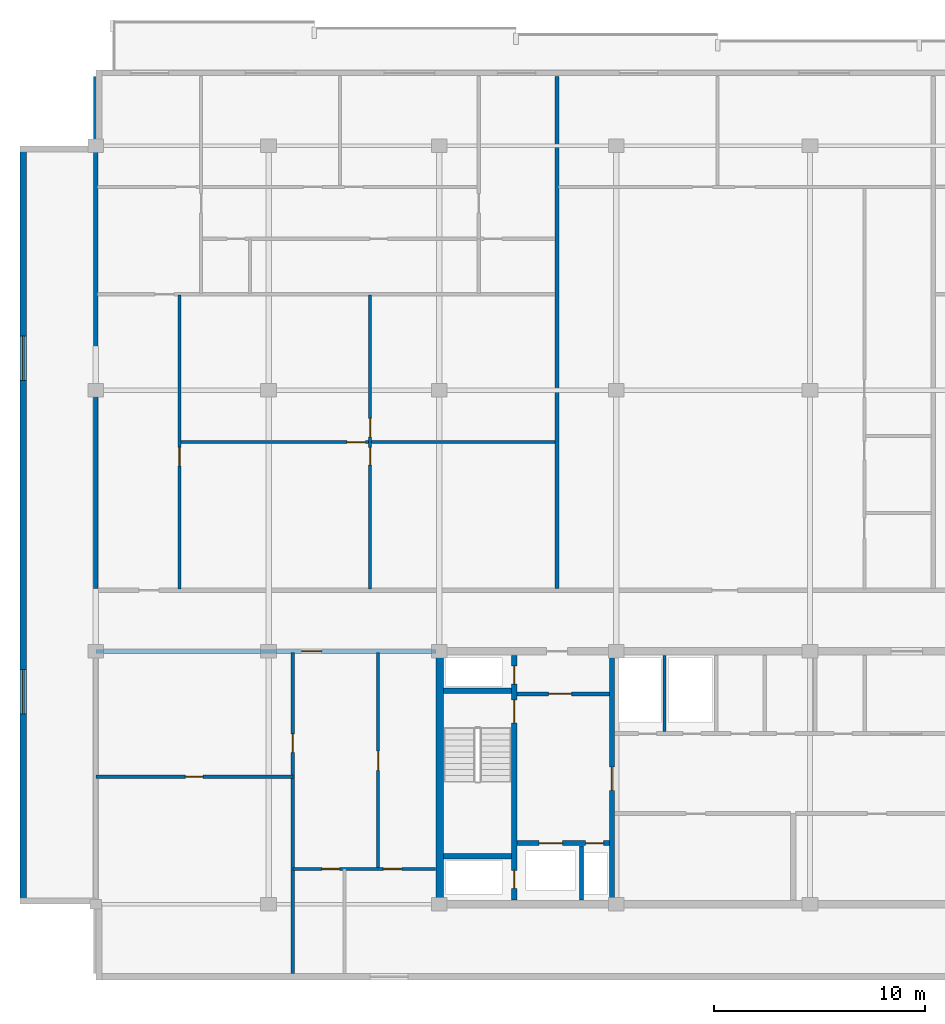
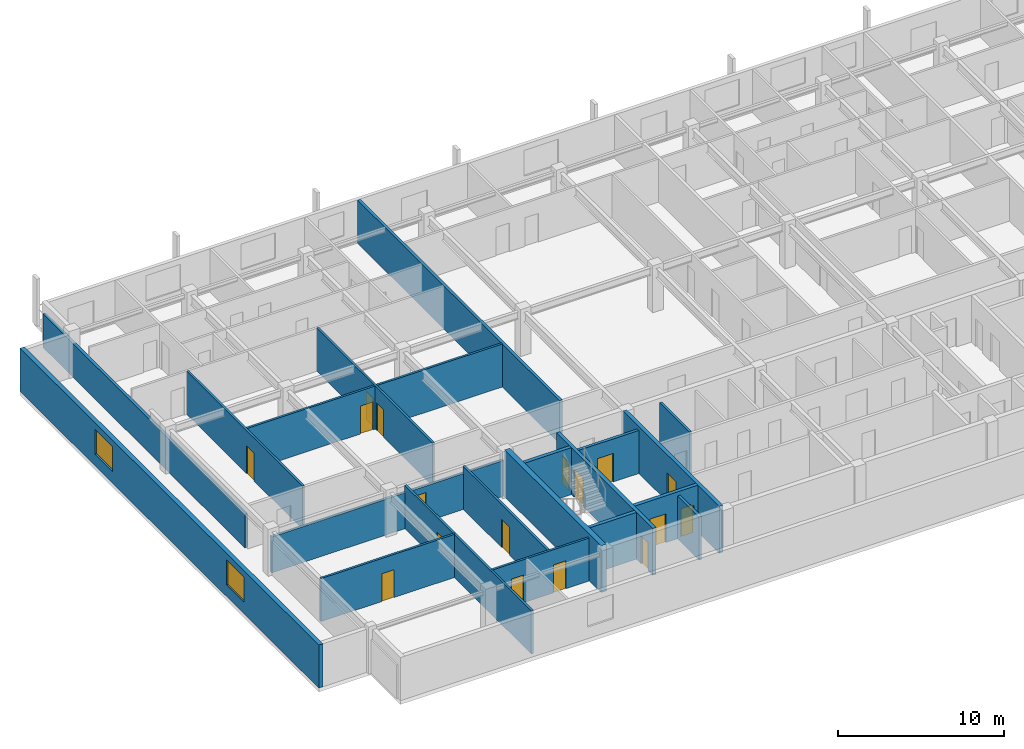
# One storey, part 3 of 10: 20 walls, 17 doors, 2 windows, 19 openings.
"""IFC4 building model written with IfcOpenShell, lengths in metres."""

import ifcopenshell
import ifcopenshell.guid

model = None  # the IFC model being written
_history = None  # IfcOwnerHistory: only IFC2X3 demands one
_inside = {}  # id of a spatial element -> (the spatial element, [elements in it])
_under = {}  # id of a project, library or spatial element -> (it, [spatial elements below it])
_declared = {}  # id of a project -> (the project, [libraries it declares])
_typed = {}  # id of a type object -> (the type object, [elements of that type])
_made_of = {}  # id of a material, layer set ... -> (it, [elements and type objects made of it])


def new_model(schema):
    """Start an empty IFC model of exactly this schema.

    Asked for "IFC4X3", IfcOpenShell would pick the latest addendum, in which some entities
    have other attributes; the version numbers below select the first issue.
    IFC2X3 requires an IfcOwnerHistory on every rooted entity: one is made here for all.
    """
    global model, _history
    if schema == "IFC4X3":
        model = ifcopenshell.file(schema_version=(4, 3, 0, 0))
    else:
        model = ifcopenshell.file(schema=schema)
    _inside.clear()
    _under.clear()
    _declared.clear()
    _typed.clear()
    _made_of.clear()
    _history = None
    if model.schema == "IFC2X3":
        org = make("IfcOrganization", Name="unknown")
        user = make(
            "IfcPersonAndOrganization",
            ThePerson=make("IfcPerson", FamilyName="unknown"),
            TheOrganization=org,
        )
        app = make(
            "IfcApplication",
            ApplicationDeveloper=org,
            Version="unknown",
            ApplicationFullName="unknown",
            ApplicationIdentifier="unknown",
        )
        _history = make(
            "IfcOwnerHistory",
            OwningUser=user,
            OwningApplication=app,
            ChangeAction="ADDED",
            CreationDate=0,
        )
    return model


def make(cls, **values):
    """One entity of the class cls with the attributes given. An attribute that is None is left unset."""
    return model.create_entity(
        cls, **{name: value for name, value in values.items() if value is not None}
    )


def rooted(cls, **values):
    """An entity with a GlobalId (a new one), such as an element, a storey or a relation."""
    return make(cls, GlobalId=ifcopenshell.guid.new(), OwnerHistory=_history, **values)


def si_unit(unit_type, name, prefix=None):
    """IfcSIUnit, for example si_unit("LENGTHUNIT", "METRE", prefix="MILLI")."""
    return make("IfcSIUnit", UnitType=unit_type, Prefix=prefix, Name=name)


def assignment(units):
    """IfcUnitAssignment: the units of a project."""
    return None if units is None else make("IfcUnitAssignment", Units=units)


def point(xyz):
    """IfcCartesianPoint."""
    return None if xyz is None else make("IfcCartesianPoint", Coordinates=xyz)


def direction(xyz):
    """IfcDirection."""
    return None if xyz is None else make("IfcDirection", DirectionRatios=xyz)


def frame(location, z_axis=None, x_axis=None):
    """IfcAxis2Placement3D, a coordinate frame: its origin and axes. An axis left out is left unset."""
    return make(
        "IfcAxis2Placement3D",
        Location=point(location),
        Axis=direction(z_axis),
        RefDirection=direction(x_axis),
    )


def frame_2d(location, x_axis=None):
    """IfcAxis2Placement2D, a coordinate frame in the plane: its origin and x axis."""
    return make(
        "IfcAxis2Placement2D", Location=point(location), RefDirection=direction(x_axis)
    )


def origin():
    """The frame at (0, 0, 0) with its axes left unset."""
    return frame((0.0, 0.0, 0.0))


def place(relative_to, where):
    """IfcLocalPlacement: puts the frame where relative to a parent placement (None: the world)."""
    return make(
        "IfcLocalPlacement", PlacementRelTo=relative_to, RelativePlacement=where
    )


def context(
    kind, dimensions, precision=None, world=None, true_north=None, identifier=None
):
    """IfcGeometricRepresentationContext, for example the 3D "Model" context."""
    return make(
        "IfcGeometricRepresentationContext",
        ContextIdentifier=identifier,
        ContextType=kind,
        CoordinateSpaceDimension=dimensions,
        Precision=precision,
        WorldCoordinateSystem=world,
        TrueNorth=true_north,
    )


def subcontext(parent, identifier, kind, view, scale=None):
    """IfcGeometricRepresentationSubContext, for example "Body" below "Model"."""
    return make(
        "IfcGeometricRepresentationSubContext",
        ContextIdentifier=identifier,
        ContextType=kind,
        ParentContext=parent,
        TargetScale=scale,
        TargetView=view,
    )


def project(units=None, contexts=None):
    """IfcProject with its units and contexts."""
    return rooted(
        "IfcProject",
        Name="project",
        RepresentationContexts=contexts,
        UnitsInContext=assignment(units),
    )


def spatial(cls, under=None, at=None, **own):
    """A site, building, storey or space (cls), placed at a placement, below another one or the project."""
    s = rooted(cls, ObjectPlacement=at, **own)
    if under is not None:
        _under.setdefault(under.id(), (under, []))[1].append(s)
    return s


def profile(cls, at=None, kind="AREA", **sizes):
    """A parametric profile (cls). Its sizes go by their IFC names, for example OverallWidth=200.0."""
    return make(cls, ProfileType=kind, Position=at, **sizes)


def rectangle(**sizes):
    """IfcRectangleProfileDef."""
    return profile("IfcRectangleProfileDef", **sizes)


def extrude(swept, where, along, depth):
    """IfcExtrudedAreaSolid: the profile swept, set in the frame where, extruded along a direction by depth."""
    return make(
        "IfcExtrudedAreaSolid",
        SweptArea=swept,
        Position=where,
        ExtrudedDirection=direction(along),
        Depth=depth,
    )


def shape(context_of_items, identifier, shape_type, items):
    """IfcShapeRepresentation: the items that make up one representation, for example the "Body"."""
    return make(
        "IfcShapeRepresentation",
        ContextOfItems=context_of_items,
        RepresentationIdentifier=identifier,
        RepresentationType=shape_type,
        Items=items,
    )


def material(Name=None, Category=None):
    """IfcMaterial."""
    return make("IfcMaterial", Name=Name, Category=Category)


def layer(
    of_material, thickness, ventilated=None, Name=None, Category=None, Priority=None
):
    """IfcMaterialLayer: one layer of a wall or slab, of a material (None: an air gap)."""
    return make(
        "IfcMaterialLayer",
        Material=of_material,
        LayerThickness=thickness,
        IsVentilated=ventilated,
        Name=Name,
        Category=Category,
        Priority=Priority,
    )


def layer_set(layers, Name=None):
    """IfcMaterialLayerSet."""
    return make("IfcMaterialLayerSet", MaterialLayers=layers, LayerSetName=Name)


def made_of(thing, what):
    """Note that an element or type object is made of a material, layer set ...; save() writes the relation."""
    if what is not None:
        _made_of.setdefault(what.id(), (what, []))[1].append(thing)
    return thing


def type_object(cls, material=None, **own):
    """A type object (cls), such as IfcWallType, which elements share."""
    return made_of(rooted(cls, **own), material)


def element(
    cls,
    number,
    at=None,
    inside=None,
    cuts=None,
    type_object=None,
    material=None,
    context=None,
    identifier="Body",
    shape_type=None,
    held_by="IfcProductDefinitionShape",
    body=None,
    shapes=None,
    **own,
):
    """One element of the class cls, such as IfcWall. Its Tag is "e" and its number.

    at: its placement. inside: the storey or other place that contains it. cuts: it is an
    opening in that element (IfcRelVoidsElement). A single representation is given by context,
    identifier, shape_type and body (its items); several are given by shapes. held_by: the class
    of the entity that holds the representations. save() writes the other relations.
    """
    e = rooted(cls, Tag="e%d" % number, ObjectPlacement=at, **own)
    if body is not None:
        shapes = [shape(context, identifier, shape_type, body)]
    if shapes is not None:
        e.Representation = make(held_by, Representations=shapes)
    if inside is not None:
        _inside.setdefault(inside.id(), (inside, []))[1].append(e)
    if cuts is not None:
        rooted(
            "IfcRelVoidsElement", RelatingBuildingElement=cuts, RelatedOpeningElement=e
        )
    if type_object is not None:
        _typed.setdefault(type_object.id(), (type_object, []))[1].append(e)
    return made_of(e, material)


def fill(opening, filler):
    """IfcRelFillsElement: the door or window that sits in an opening."""
    return rooted(
        "IfcRelFillsElement",
        RelatingOpeningElement=opening,
        RelatedBuildingElement=filler,
    )


def aggregate(whole, parts):
    """IfcRelAggregates: a whole, such as a stair, and the parts it consists of."""
    return rooted("IfcRelAggregates", RelatingObject=whole, RelatedObjects=parts)


def save(model, path):
    """Write the relations noted so far, then the file.

    IfcRelAggregates (storeys below a building ...), IfcRelContainedInSpatialStructure (elements
    in a storey), IfcRelDefinesByType, IfcRelAssociatesMaterial and IfcRelDeclares: one each for
    every whole, place, type object, material and project.
    """
    for whole, parts in _under.values():
        aggregate(whole, parts)
    for where, things in _inside.values():
        rooted(
            "IfcRelContainedInSpatialStructure",
            RelatedElements=things,
            RelatingStructure=where,
        )
    for kind, things in _typed.values():
        rooted("IfcRelDefinesByType", RelatedObjects=things, RelatingType=kind)
    for what, things in _made_of.values():
        rooted("IfcRelAssociatesMaterial", RelatedObjects=things, RelatingMaterial=what)
    for by, libraries in _declared.values():
        rooted("IfcRelDeclares", RelatingContext=by, RelatedDefinitions=libraries)
    model.write(path)


model = new_model("IFC4")

# Units and contexts
model_context = context("Model", 3, precision=1e-05, world=origin(), true_north=direction((0.0, 1.0)))
body_context = subcontext(model_context, "Body", "Model", "MODEL_VIEW")
ifc_project = project(units=[si_unit("LENGTHUNIT", "METRE"), si_unit("AREAUNIT", "SQUARE_METRE"), si_unit("VOLUMEUNIT", "CUBIC_METRE"), si_unit("PLANEANGLEUNIT", "RADIAN"), si_unit("MASSUNIT", "GRAM", prefix="KILO")], contexts=[model_context])

# Site, building, storey
site_placement = place(None, origin())
site = spatial("IfcSite", under=ifc_project, at=site_placement, CompositionType="ELEMENT")
building_placement = place(site_placement, origin())
building = spatial("IfcBuilding", under=site, at=building_placement, Name="Korimba Cascade Residences", CompositionType="ELEMENT")
storey_placement = place(building_placement, frame((0.0, 0.0, 232.10009765625)))
storey = spatial("IfcBuildingStorey", under=building, at=storey_placement, Name="L67", CompositionType="ELEMENT", Elevation=232.10009765625)

# Wall, openings, windows
ifc_material_1 = material(Name="Precast concrete C40/50", Category="concrete")
ifc_layer_1 = layer(ifc_material_1, 0.300048828125)
ifc_layer_set_1 = layer_set([ifc_layer_1], Name="Precast concrete C40/50")
wall_type_1 = type_object("IfcWallType", Name="EW-STONE-300", PredefinedType="STANDARD", material=ifc_layer_set_1)
wall_1_placement = place(storey_placement, frame((56.35009765625, 91.199951171875, 0.0), z_axis=(0.0, 0.0, 1.0), x_axis=(0.0, -1.0, 0.0)))
wall_1 = element("IfcWall", 1, at=wall_1_placement, inside=storey, type_object=wall_type_1, Name="L67 T1 Perimeter Stone Wall E09", PredefinedType="STANDARD", context=body_context, shape_type="SweptSolid", body=[
    extrude(rectangle(XDim=36.0, YDim=0.300048828125, at=frame_2d((18.0, 0.0))), origin(), (0.0, 0.0, 1.0), 3.169921875),
])
opening_1_placement = place(wall_1_placement, frame((9.030029296875, 0.0, 0.85009765625)))
opening_1 = element("IfcOpeningElement", 2, at=opening_1_placement, cuts=wall_1, Name="Opening W-03", PredefinedType="OPENING", context=body_context, shape_type="SweptSolid", body=[
    extrude(rectangle(XDim=2.10009765625, YDim=1.85009765625, at=frame_2d((1.050048828125, 0.925048828125))), frame((0.0, 0.16015625, 0.0), z_axis=(0.0, -1.0, 0.0), x_axis=(1.0, 0.0, 0.0)), (0.0, 0.0, 1.0), 0.320068359375),
])
opening_2_placement = place(wall_1_placement, frame((24.8701171875, 0.0, 0.85009765625)))
opening_2 = element("IfcOpeningElement", 3, at=opening_2_placement, cuts=wall_1, Name="Opening W-03", PredefinedType="OPENING", context=body_context, shape_type="SweptSolid", body=[
    extrude(rectangle(XDim=2.10009765625, YDim=1.85009765625, at=frame_2d((1.050048828125, 0.925048828125))), frame((0.0, 0.16015625, 0.0), z_axis=(0.0, -1.0, 0.0), x_axis=(1.0, 0.0, 0.0)), (0.0, 0.0, 1.0), 0.320068359375),
])
ifc_material_2 = material(Name="Double-Glazed Aluminium Window", Category="aluminium")
window_type = type_object("IfcWindowType", Name="WIN-CRN-2100", PartitioningType="DOUBLE_PANEL_HORIZONTAL", PredefinedType="WINDOW", material=ifc_material_2)
window_1_placement = place(opening_1_placement, origin())
window_1 = element("IfcWindow", 4, at=window_1_placement, inside=storey, type_object=window_type, Name="L67 T1 End View Window 9.1", OverallHeight=1.85009765625, OverallWidth=2.10009765625, PartitioningType="DOUBLE_PANEL_HORIZONTAL", PredefinedType="WINDOW", context=body_context, shape_type="SweptSolid", body=[
    extrude(rectangle(XDim=2.10009765625, YDim=1.85009765625, at=frame_2d((1.050048828125, 0.925048828125))), frame((0.0, 0.030029296875, 0.0), z_axis=(0.0, -1.0, 0.0), x_axis=(1.0, 0.0, 0.0)), (0.0, 0.0, 1.0), 0.06005859375),
])
fill(opening_1, window_1)
window_2_placement = place(opening_2_placement, origin())
window_2 = element("IfcWindow", 5, at=window_2_placement, inside=storey, type_object=window_type, Name="L67 T1 End View Window 9.2", OverallHeight=1.85009765625, OverallWidth=2.10009765625, PartitioningType="DOUBLE_PANEL_HORIZONTAL", PredefinedType="WINDOW", context=body_context, shape_type="SweptSolid", body=[
    extrude(rectangle(XDim=2.10009765625, YDim=1.85009765625, at=frame_2d((1.050048828125, 0.925048828125))), frame((0.0, 0.030029296875, 0.0), z_axis=(0.0, -1.0, 0.0), x_axis=(1.0, 0.0, 0.0)), (0.0, 0.0, 1.0), 0.06005859375),
])
fill(opening_2, window_2)

# Wall
ifc_material_3 = material(Name="Concrete C65/80", Category="concrete")
ifc_layer_2 = layer(ifc_material_3, 0.35009765625)
ifc_layer_set_2 = layer_set([ifc_layer_2], Name="Concrete C65/80")
wall_type_2 = type_object("IfcWallType", Name="WAL-CORE-350", PredefinedType="SHEAR", material=ifc_layer_set_2)
wall_2_placement = place(storey_placement, frame((76.125, 55.375, 0.0), z_axis=(0.0, 0.0, 1.0), x_axis=(0.0, 1.0, 0.0)))
element("IfcWall", 6, at=wall_2_placement, inside=storey, type_object=wall_type_2, Name="L67 Core Shear Wall CW-L67-T1-W", PredefinedType="SHEAR", context=body_context, shape_type="SweptSolid", body=[
    extrude(rectangle(XDim=11.64990234375, YDim=0.35009765625, at=frame_2d((5.824951171875, 0.0))), origin(), (0.0, 0.0, 1.0), 3.449951171875),
])

# Wall, opening, door
ifc_layer_3 = layer(ifc_material_1, 0.199951171875)
ifc_layer_set_3 = layer_set([ifc_layer_3], Name="Precast concrete C40/50")
wall_type_3 = type_object("IfcWallType", Name="WAL-IT-200", PredefinedType="PARTITIONING", material=ifc_layer_set_3)
wall_3_placement = place(storey_placement, frame((59.800048828125, 67.199951171875, 0.0), z_axis=(0.0, 0.0, 1.0), x_axis=(1.0, 0.0, 0.0)))
wall_3 = element("IfcWall", 7, at=wall_3_placement, inside=storey, type_object=wall_type_3, Name="L67 Partition Wall WAL-L67-T1-FW-N", PredefinedType="PARTITIONING", context=body_context, shape_type="SweptSolid", body=[
    extrude(rectangle(XDim=16.14990234375, YDim=0.199951171875, at=frame_2d((8.074951171875, 0.0))), origin(), (0.0, 0.0, 1.0), 2.63330078125),
])
opening_3_placement = place(wall_3_placement, frame((9.7724609375, 0.0, 0.0)))
opening_3 = element("IfcOpeningElement", 8, at=opening_3_placement, cuts=wall_3, Name="Opening D-UN1", PredefinedType="OPENING", context=body_context, shape_type="SweptSolid", body=[
    extrude(rectangle(XDim=0.949951171875, YDim=2.14990234375, at=frame_2d((0.47509765625, 1.074951171875))), frame((0.0, 0.10986328125, 0.0), z_axis=(0.0, -1.0, 0.0), x_axis=(1.0, 0.0, 0.0)), (0.0, 0.0, 1.0), 0.219970703125),
])
ifc_material_4 = material(Name="Fire-Rated Hardwood Apartment Entrance Door", Category="wood")
door_type_1 = type_object("IfcDoorType", Name="DR-FD60-950", OperationType="NOTDEFINED", PredefinedType="DOOR", material=ifc_material_4)
door_1_placement = place(opening_3_placement, origin())
door_1 = element("IfcDoor", 9, at=door_1_placement, inside=storey, type_object=door_type_1, Name="L67-T1-FW Entrance Door", OperationType="SINGLE_SWING_LEFT", OverallHeight=2.14990234375, OverallWidth=0.949951171875, PredefinedType="DOOR", context=body_context, shape_type="SweptSolid", body=[
    extrude(rectangle(XDim=0.949951171875, YDim=2.14990234375, at=frame_2d((0.47509765625, 1.074951171875))), frame((0.0, 0.02490234375, 0.0), z_axis=(0.0, -1.0, 0.0), x_axis=(1.0, 0.0, 0.0)), (0.0, 0.0, 1.0), 0.050048828125),
])
fill(opening_3, door_1)

# Walls
wall_4_placement = place(storey_placement, frame((59.800048828125, 70.179931640625, 0.0), z_axis=(0.0, 0.0, 1.0), x_axis=(0.0, 1.0, 0.0)))
element("IfcWall", 10, at=wall_4_placement, inside=storey, type_object=wall_type_3, Name="L67 Partition Wall WAL-L67-T1-BNDWL", PredefinedType="PARTITIONING", context=body_context, shape_type="SweptSolid", body=[
    extrude(rectangle(XDim=24.320068359375, YDim=0.199951171875, at=frame_2d((12.16015625, 0.0))), origin(), (0.0, 0.0, 1.0), 2.47705078125),
])
wall_5_placement = place(storey_placement, frame((81.687255859375, 70.179931640625, 0.0), z_axis=(0.0, 0.0, 1.0), x_axis=(0.0, 1.0, 0.0)))
element("IfcWall", 11, at=wall_5_placement, inside=storey, type_object=wall_type_3, Name="L67 Partition Wall WAL-L67-T1-DEM-1", PredefinedType="PARTITIONING", context=body_context, shape_type="SweptSolid", body=[
    extrude(rectangle(XDim=24.320068359375, YDim=0.199951171875, at=frame_2d((12.16015625, 0.0))), origin(), (0.0, 0.0, 1.0), 3.169921875),
])
ifc_material_5 = material(Name="Insulated Acoustic Stud Partition", Category="gypsum")
ifc_layer_4 = layer(ifc_material_5, 0.14990234375)
ifc_layer_set_4 = layer_set([ifc_layer_4], Name="Insulated Acoustic Stud Partition")
wall_type_4 = type_object("IfcWallType", Name="WAL-PART-150", PredefinedType="PARTITIONING", material=ifc_layer_set_4)
wall_6_placement = place(storey_placement, frame((86.800048828125, 63.39990234375, 0.0), z_axis=(0.0, 0.0, 1.0), x_axis=(0.0, 1.0, 0.0)))
element("IfcWall", 12, at=wall_6_placement, inside=storey, type_object=wall_type_4, Name="L67 Partition Wall CW-L67-T1-ERDIV", PredefinedType="PARTITIONING", context=body_context, shape_type="SweptSolid", body=[
    extrude(rectangle(XDim=3.60009765625, YDim=0.14990234375, at=frame_2d((1.800048828125, 0.0))), origin(), (0.0, 0.0, 1.0), 3.169921875),
])

# Wall, opening, door
wall_7_placement = place(storey_placement, frame((59.800048828125, 61.25, 0.0), z_axis=(0.0, 0.0, 1.0), x_axis=(1.0, 0.0, 0.0)))
wall_7 = element("IfcWall", 13, at=wall_7_placement, inside=storey, type_object=wall_type_4, Name="L67 Partition Wall WAL-L67-T1-FW-STH", PredefinedType="PARTITIONING", context=body_context, shape_type="SweptSolid", body=[
    extrude(rectangle(XDim=9.349853515625, YDim=0.14990234375, at=frame_2d((4.6748046875, 0.0))), origin(), (0.0, 0.0, 1.0), 3.169921875),
])
opening_4_placement = place(wall_7_placement, frame((4.2548828125, 0.0, 0.0)))
opening_4 = element("IfcOpeningElement", 14, at=opening_4_placement, cuts=wall_7, Name="Opening D-BT1", PredefinedType="OPENING", context=body_context, shape_type="SweptSolid", body=[
    extrude(rectangle(XDim=0.840087890625, YDim=2.0400390625, at=frame_2d((0.419921875, 1.02001953125))), frame((0.0, 0.0849609375, 0.0), z_axis=(0.0, -1.0, 0.0), x_axis=(1.0, 0.0, 0.0)), (0.0, 0.0, 1.0), 0.169921875),
])
ifc_material_6 = material(Name="Moisture-Resistant Bathroom Timber Door", Category="wood")
door_type_2 = type_object("IfcDoorType", Name="DR-INT-850", OperationType="NOTDEFINED", PredefinedType="DOOR", material=ifc_material_6)
door_2_placement = place(opening_4_placement, origin())
door_2 = element("IfcDoor", 15, at=door_2_placement, inside=storey, type_object=door_type_2, Name="L67-T1-FW Dressing Store Door", OperationType="SINGLE_SWING_RIGHT", OverallHeight=2.0400390625, OverallWidth=0.840087890625, PredefinedType="DOOR", context=body_context, shape_type="SweptSolid", body=[
    extrude(rectangle(XDim=0.840087890625, YDim=2.0400390625, at=frame_2d((0.419921875, 1.02001953125))), frame((0.0, 0.02490234375, 0.0), z_axis=(0.0, -1.0, 0.0), x_axis=(1.0, 0.0, 0.0)), (0.0, 0.0, 1.0), 0.050048828125),
])
fill(opening_4, door_2)

wall_8_placement = place(storey_placement, frame((69.14990234375, 51.89990234375, 0.0), z_axis=(0.0, 0.0, 1.0), x_axis=(0.0, 1.0, 0.0)))
wall_8 = element("IfcWall", 16, at=wall_8_placement, inside=storey, type_object=wall_type_4, Name="L67 Partition Wall WAL-L67-T1-FW-STV", PredefinedType="PARTITIONING", context=body_context, shape_type="SweptSolid", body=[
    extrude(rectangle(XDim=15.25, YDim=0.14990234375, at=frame_2d((7.625, 0.0))), origin(), (0.0, 0.0, 1.0), 3.169921875),
])
opening_5_placement = place(wall_8_placement, frame((10.5, 0.0, 0.0)))
opening_5 = element("IfcOpeningElement", 17, at=opening_5_placement, cuts=wall_8, Name="Opening D-IN2", PredefinedType="OPENING", context=body_context, shape_type="SweptSolid", body=[
    extrude(rectangle(XDim=0.8798828125, YDim=2.06005859375, at=frame_2d((0.43994140625, 1.030029296875))), frame((0.0, 0.0849609375, 0.0), z_axis=(0.0, -1.0, 0.0), x_axis=(1.0, 0.0, 0.0)), (0.0, 0.0, 1.0), 0.169921875),
])
ifc_material_7 = material(Name="Acoustic Timber Bedroom Door", Category="wood")
door_type_3 = type_object("IfcDoorType", Name="DR-INT-880", OperationType="NOTDEFINED", PredefinedType="DOOR", material=ifc_material_7)
door_3_placement = place(opening_5_placement, origin())
door_3 = element("IfcDoor", 18, at=door_3_placement, inside=storey, type_object=door_type_3, Name="L67-T1-FW Study Door", OperationType="SINGLE_SWING_LEFT", OverallHeight=2.06005859375, OverallWidth=0.8798828125, PredefinedType="DOOR", context=body_context, shape_type="SweptSolid", body=[
    extrude(rectangle(XDim=0.8798828125, YDim=2.06005859375, at=frame_2d((0.43994140625, 1.030029296875))), frame((0.0, 0.02490234375, 0.0), z_axis=(0.0, -1.0, 0.0), x_axis=(1.0, 0.0, 0.0)), (0.0, 0.0, 1.0), 0.050048828125),
])
fill(opening_5, door_3)

wall_9_placement = place(storey_placement, frame((73.199951171875, 56.8701171875, 0.0), z_axis=(0.0, 0.0, 1.0), x_axis=(0.0, 1.0, 0.0)))
wall_9 = element("IfcWall", 19, at=wall_9_placement, inside=storey, type_object=wall_type_4, Name="L67 Partition Wall WAL-L67-T1-FW-VN", PredefinedType="PARTITIONING", context=body_context, shape_type="SweptSolid", body=[
    extrude(rectangle(XDim=10.27978515625, YDim=0.14990234375, at=frame_2d((5.139892578125, 0.0))), origin(), (0.0, 0.0, 1.0), 3.169921875),
])
opening_6_placement = place(wall_9_placement, frame((4.679931640625, 0.0, 0.0)))
opening_6 = element("IfcOpeningElement", 20, at=opening_6_placement, cuts=wall_9, Name="Opening D-IN1", PredefinedType="OPENING", context=body_context, shape_type="SweptSolid", body=[
    extrude(rectangle(XDim=0.919921875, YDim=2.080078125, at=frame_2d((0.4599609375, 1.0400390625))), frame((0.0, 0.0849609375, 0.0), z_axis=(0.0, -1.0, 0.0), x_axis=(1.0, 0.0, 0.0)), (0.0, 0.0, 1.0), 0.169921875),
])
ifc_material_8 = material(Name="Acoustic Timber Living Door", Category="wood")
door_type_4 = type_object("IfcDoorType", Name="DR-INT-920", OperationType="NOTDEFINED", PredefinedType="DOOR", material=ifc_material_8)
door_4_placement = place(opening_6_placement, origin())
door_4 = element("IfcDoor", 21, at=door_4_placement, inside=storey, type_object=door_type_4, Name="L67-T1-FW Living Door", OperationType="SINGLE_SWING_RIGHT", OverallHeight=2.080078125, OverallWidth=0.919921875, PredefinedType="DOOR", context=body_context, shape_type="SweptSolid", body=[
    extrude(rectangle(XDim=0.919921875, YDim=2.080078125, at=frame_2d((0.4599609375, 1.0400390625))), frame((0.0, 0.02490234375, 0.0), z_axis=(0.0, -1.0, 0.0), x_axis=(1.0, 0.0, 0.0)), (0.0, 0.0, 1.0), 0.050048828125),
])
fill(opening_6, door_4)

# Wall, openings, doors
wall_10_placement = place(storey_placement, frame((69.169921875, 56.8701171875, 0.0), z_axis=(0.0, 0.0, 1.0), x_axis=(1.0, 0.0, 0.0)))
wall_10 = element("IfcWall", 22, at=wall_10_placement, inside=storey, type_object=wall_type_4, Name="L67 Partition Wall WAL-L67-T1-FW-H", PredefinedType="PARTITIONING", context=body_context, shape_type="SweptSolid", body=[
    extrude(rectangle(XDim=6.760009765625, YDim=0.14990234375, at=frame_2d((3.3798828125, 0.0))), origin(), (0.0, 0.0, 1.0), 3.169921875),
])
opening_7_placement = place(wall_10_placement, frame((1.3623046875, 0.0, 0.0)))
opening_7 = element("IfcOpeningElement", 23, at=opening_7_placement, cuts=wall_10, Name="Opening D-BT1", PredefinedType="OPENING", context=body_context, shape_type="SweptSolid", body=[
    extrude(rectangle(XDim=0.840087890625, YDim=2.0400390625, at=frame_2d((0.419921875, 1.02001953125))), frame((0.0, 0.0849609375, 0.0), z_axis=(0.0, -1.0, 0.0), x_axis=(1.0, 0.0, 0.0)), (0.0, 0.0, 1.0), 0.169921875),
])
opening_8_placement = place(wall_10_placement, frame((4.276611328125, 0.0, 0.0)))
opening_8 = element("IfcOpeningElement", 24, at=opening_8_placement, cuts=wall_10, Name="Opening D-IN2", PredefinedType="OPENING", context=body_context, shape_type="SweptSolid", body=[
    extrude(rectangle(XDim=0.8798828125, YDim=2.06005859375, at=frame_2d((0.43994140625, 1.030029296875))), frame((0.0, 0.0849609375, 0.0), z_axis=(0.0, -1.0, 0.0), x_axis=(1.0, 0.0, 0.0)), (0.0, 0.0, 1.0), 0.169921875),
])
door_5_placement = place(opening_7_placement, origin())
door_5 = element("IfcDoor", 25, at=door_5_placement, inside=storey, type_object=door_type_2, Name="L67-T1-FW Bathroom Door", OperationType="SINGLE_SWING_LEFT", OverallHeight=2.0400390625, OverallWidth=0.840087890625, PredefinedType="DOOR", context=body_context, shape_type="SweptSolid", body=[
    extrude(rectangle(XDim=0.840087890625, YDim=2.0400390625, at=frame_2d((0.419921875, 1.02001953125))), frame((0.0, 0.02490234375, 0.0), z_axis=(0.0, -1.0, 0.0), x_axis=(1.0, 0.0, 0.0)), (0.0, 0.0, 1.0), 0.050048828125),
])
fill(opening_7, door_5)
door_6_placement = place(opening_8_placement, origin())
door_6 = element("IfcDoor", 26, at=door_6_placement, inside=storey, type_object=door_type_3, Name="L67-T1-FW Bedroom Door", OperationType="SINGLE_SWING_RIGHT", OverallHeight=2.06005859375, OverallWidth=0.8798828125, PredefinedType="DOOR", context=body_context, shape_type="SweptSolid", body=[
    extrude(rectangle(XDim=0.8798828125, YDim=2.06005859375, at=frame_2d((0.43994140625, 1.030029296875))), frame((0.0, 0.02490234375, 0.0), z_axis=(0.0, -1.0, 0.0), x_axis=(1.0, 0.0, 0.0)), (0.0, 0.0, 1.0), 0.050048828125),
])
fill(opening_8, door_6)

wall_11_placement = place(storey_placement, frame((72.818603515625, 70.159912109375, 0.0), z_axis=(0.0, 0.0, 1.0), x_axis=(0.0, 1.0, 0.0)))
wall_11 = element("IfcWall", 27, at=wall_11_placement, inside=storey, type_object=wall_type_4, Name="L67 Partition Wall WAL-L67-T1-U01-FMV", PredefinedType="PARTITIONING", context=body_context, shape_type="SweptSolid", body=[
    extrude(rectangle(XDim=13.9501953125, YDim=0.14990234375, at=frame_2d((6.97509765625, 0.0))), origin(), (0.0, 0.0, 1.0), 3.169921875),
])
opening_9_placement = place(wall_11_placement, frame((5.885009765625, 0.0, 0.0)))
opening_9 = element("IfcOpeningElement", 28, at=opening_9_placement, cuts=wall_11, Name="Opening D-BT1", PredefinedType="OPENING", context=body_context, shape_type="SweptSolid", body=[
    extrude(rectangle(XDim=0.840087890625, YDim=2.0400390625, at=frame_2d((0.419921875, 1.02001953125))), frame((0.0, 0.0849609375, 0.0), z_axis=(0.0, -1.0, 0.0), x_axis=(1.0, 0.0, 0.0)), (0.0, 0.0, 1.0), 0.169921875),
])
opening_10_placement = place(wall_11_placement, frame((7.22509765625, 0.0, 0.0)))
opening_10 = element("IfcOpeningElement", 29, at=opening_10_placement, cuts=wall_11, Name="Opening D-IN2", PredefinedType="OPENING", context=body_context, shape_type="SweptSolid", body=[
    extrude(rectangle(XDim=0.8798828125, YDim=2.06005859375, at=frame_2d((0.43994140625, 1.030029296875))), frame((0.0, 0.0849609375, 0.0), z_axis=(0.0, -1.0, 0.0), x_axis=(1.0, 0.0, 0.0)), (0.0, 0.0, 1.0), 0.169921875),
])
door_7_placement = place(opening_9_placement, origin())
door_7 = element("IfcDoor", 30, at=door_7_placement, inside=storey, type_object=door_type_2, Name="L67-T1-U01 Wardrobe Door", OperationType="SINGLE_SWING_RIGHT", OverallHeight=2.0400390625, OverallWidth=0.840087890625, PredefinedType="DOOR", context=body_context, shape_type="SweptSolid", body=[
    extrude(rectangle(XDim=0.840087890625, YDim=2.0400390625, at=frame_2d((0.419921875, 1.02001953125))), frame((0.0, 0.02490234375, 0.0), z_axis=(0.0, -1.0, 0.0), x_axis=(1.0, 0.0, 0.0)), (0.0, 0.0, 1.0), 0.050048828125),
])
fill(opening_9, door_7)
door_8_placement = place(opening_10_placement, origin())
door_8 = element("IfcDoor", 31, at=door_8_placement, inside=storey, type_object=door_type_3, Name="L67-T1-U01 Music Lounge Door", OperationType="SINGLE_SWING_LEFT", OverallHeight=2.06005859375, OverallWidth=0.8798828125, PredefinedType="DOOR", context=body_context, shape_type="SweptSolid", body=[
    extrude(rectangle(XDim=0.8798828125, YDim=2.06005859375, at=frame_2d((0.43994140625, 1.030029296875))), frame((0.0, 0.02490234375, 0.0), z_axis=(0.0, -1.0, 0.0), x_axis=(1.0, 0.0, 0.0)), (0.0, 0.0, 1.0), 0.050048828125),
])
fill(opening_10, door_8)

# Wall, opening, door
wall_12_placement = place(storey_placement, frame((63.830078125, 77.135009765625, 0.0), z_axis=(0.0, 0.0, 1.0), x_axis=(1.0, 0.0, 0.0)))
wall_12 = element("IfcWall", 32, at=wall_12_placement, inside=storey, type_object=wall_type_4, Name="L67 Partition Wall WAL-L67-T1-U01-FMH", PredefinedType="PARTITIONING", context=body_context, shape_type="SweptSolid", body=[
    extrude(rectangle(XDim=17.77734375, YDim=0.14990234375, at=frame_2d((8.888671875, 0.0))), origin(), (0.0, 0.0, 1.0), 3.169921875),
])
opening_11_placement = place(wall_12_placement, frame((7.888671875, 0.0, 0.0)))
opening_11 = element("IfcOpeningElement", 33, at=opening_11_placement, cuts=wall_12, Name="Opening D-IN2", PredefinedType="OPENING", context=body_context, shape_type="SweptSolid", body=[
    extrude(rectangle(XDim=0.8798828125, YDim=2.06005859375, at=frame_2d((0.43994140625, 1.030029296875))), frame((0.0, 0.0849609375, 0.0), z_axis=(0.0, -1.0, 0.0), x_axis=(1.0, 0.0, 0.0)), (0.0, 0.0, 1.0), 0.169921875),
])
door_9_placement = place(opening_11_placement, origin())
door_9 = element("IfcDoor", 34, at=door_9_placement, inside=storey, type_object=door_type_3, Name="L67-T1-U01 Library Salon Door", OperationType="SINGLE_SWING_RIGHT", OverallHeight=2.06005859375, OverallWidth=0.8798828125, PredefinedType="DOOR", context=body_context, shape_type="SweptSolid", body=[
    extrude(rectangle(XDim=0.8798828125, YDim=2.06005859375, at=frame_2d((0.43994140625, 1.030029296875))), frame((0.0, 0.02490234375, 0.0), z_axis=(0.0, -1.0, 0.0), x_axis=(1.0, 0.0, 0.0)), (0.0, 0.0, 1.0), 0.050048828125),
])
fill(opening_11, door_9)

wall_13_placement = place(storey_placement, frame((63.77001953125, 70.159912109375, 0.0), z_axis=(0.0, 0.0, 1.0), x_axis=(0.0, 1.0, 0.0)))
wall_13 = element("IfcWall", 35, at=wall_13_placement, inside=storey, type_object=wall_type_4, Name="L67 Partition Wall WAL-L67-T1-U01-FV", PredefinedType="PARTITIONING", context=body_context, shape_type="SweptSolid", body=[
    extrude(rectangle(XDim=13.9501953125, YDim=0.14990234375, at=frame_2d((6.97509765625, 0.0))), origin(), (0.0, 0.0, 1.0), 3.169921875),
])
opening_12_placement = place(wall_13_placement, frame((5.844970703125, 0.0, 0.0)))
opening_12 = element("IfcOpeningElement", 36, at=opening_12_placement, cuts=wall_13, Name="Opening D-IN2", PredefinedType="OPENING", context=body_context, shape_type="SweptSolid", body=[
    extrude(rectangle(XDim=0.8798828125, YDim=2.06005859375, at=frame_2d((0.43994140625, 1.030029296875))), frame((0.0, 0.0849609375, 0.0), z_axis=(0.0, -1.0, 0.0), x_axis=(1.0, 0.0, 0.0)), (0.0, 0.0, 1.0), 0.169921875),
])
door_10_placement = place(opening_12_placement, origin())
door_10 = element("IfcDoor", 37, at=door_10_placement, inside=storey, type_object=door_type_3, Name="L67-T1-U01 Media Lounge Door", OperationType="SINGLE_SWING_LEFT", OverallHeight=2.06005859375, OverallWidth=0.8798828125, PredefinedType="DOOR", context=body_context, shape_type="SweptSolid", body=[
    extrude(rectangle(XDim=0.8798828125, YDim=2.06005859375, at=frame_2d((0.43994140625, 1.030029296875))), frame((0.0, 0.02490234375, 0.0), z_axis=(0.0, -1.0, 0.0), x_axis=(1.0, 0.0, 0.0)), (0.0, 0.0, 1.0), 0.050048828125),
])
fill(opening_12, door_10)

# Wall
ifc_material_9 = material(Name="Concrete C40/50", Category="concrete")
ifc_layer_5 = layer(ifc_material_9, 0.199951171875)
ifc_layer_set_5 = layer_set([ifc_layer_5], Name="Concrete C40/50")
wall_type_5 = type_object("IfcWallType", Name="WAL-PART-200", PredefinedType="PARTITIONING", material=ifc_layer_set_5)
wall_14_placement = place(storey_placement, frame((82.85009765625, 55.39990234375, 0.0), z_axis=(0.0, 0.0, 1.0), x_axis=(0.0, 1.0, 0.0)))
element("IfcWall", 38, at=wall_14_placement, inside=storey, type_object=wall_type_5, Name="L67 Partition Wall CW-L67-T1-FFLDIV", PredefinedType="PARTITIONING", context=body_context, shape_type="SweptSolid", body=[
    extrude(rectangle(XDim=2.56005859375, YDim=0.199951171875, at=frame_2d((1.280029296875, 0.0))), origin(), (0.0, 0.0, 1.0), 3.169921875),
])

# Wall, opening, door
wall_15_placement = place(storey_placement, frame((79.7900390625, 65.179931640625, 0.0), z_axis=(0.0, 0.0, 1.0), x_axis=(1.0, 0.0, 0.0)))
wall_15 = element("IfcWall", 39, at=wall_15_placement, inside=storey, type_object=wall_type_5, Name="L67 Partition Wall CW-L67-T1-FFLN", PredefinedType="PARTITIONING", context=body_context, shape_type="SweptSolid", body=[
    extrude(rectangle(XDim=4.389892578125, YDim=0.199951171875, at=frame_2d((2.19482421875, 0.0))), origin(), (0.0, 0.0, 1.0), 3.169921875),
])
opening_13_placement = place(wall_15_placement, frame((1.5, 0.0, 0.0)))
opening_13 = element("IfcOpeningElement", 40, at=opening_13_placement, cuts=wall_15, Name="Opening D-FD1", PredefinedType="OPENING", context=body_context, shape_type="SweptSolid", body=[
    extrude(rectangle(XDim=1.10009765625, YDim=2.10009765625, at=frame_2d((0.550048828125, 1.050048828125))), frame((0.0, 0.10986328125, 0.0), z_axis=(0.0, -1.0, 0.0), x_axis=(1.0, 0.0, 0.0)), (0.0, 0.0, 1.0), 0.219970703125),
])
ifc_material_10 = material(Name="Fire-Rated Steel Core Door", Category="steel")
door_type_5 = type_object("IfcDoorType", Name="DR-FD120-1100", OperationType="NOTDEFINED", PredefinedType="DOOR", material=ifc_material_10)
door_11_placement = place(opening_13_placement, origin())
door_11 = element("IfcDoor", 41, at=door_11_placement, inside=storey, type_object=door_type_5, Name="L67 West Firefighting Lobby Door", OperationType="SINGLE_SWING_LEFT", OverallHeight=2.10009765625, OverallWidth=1.10009765625, PredefinedType="DOOR", context=body_context, shape_type="SweptSolid", body=[
    extrude(rectangle(XDim=1.10009765625, YDim=2.10009765625, at=frame_2d((0.550048828125, 1.050048828125))), frame((0.0, 0.02490234375, 0.0), z_axis=(0.0, -1.0, 0.0), x_axis=(1.0, 0.0, 0.0)), (0.0, 0.0, 1.0), 0.050048828125),
])
fill(opening_13, door_11)

# Wall, openings, doors
ifc_material_11 = material(Name="Concrete C50/60", Category="concrete")
ifc_layer_6 = layer(ifc_material_11, 0.25)
ifc_layer_set_6 = layer_set([ifc_layer_6], Name="Concrete C50/60")
wall_type_6 = type_object("IfcWallType", Name="WAL-SHAFT-250", PredefinedType="SHEAR", material=ifc_layer_set_6)
wall_16_placement = place(storey_placement, frame((79.6650390625, 55.39990234375, 0.0), z_axis=(0.0, 0.0, 1.0), x_axis=(0.0, 1.0, 0.0)))
wall_16 = element("IfcWall", 42, at=wall_16_placement, inside=storey, type_object=wall_type_6, Name="L67 Core Shear Wall CW-L67-T1-STW1E", PredefinedType="SHEAR", context=body_context, shape_type="SweptSolid", body=[
    extrude(rectangle(XDim=11.60009765625, YDim=0.25, at=frame_2d((5.800048828125, 0.0))), origin(), (0.0, 0.0, 1.0), 3.449951171875),
])
opening_14_placement = place(wall_16_placement, frame((0.550048828125, 0.0, 0.0)))
opening_14 = element("IfcOpeningElement", 43, at=opening_14_placement, cuts=wall_16, Name="Opening D-RS1", PredefinedType="OPENING", context=body_context, shape_type="SweptSolid", body=[
    extrude(rectangle(XDim=0.85009765625, YDim=2.050048828125, at=frame_2d((0.425048828125, 1.02490234375))), frame((0.0, 0.135009765625, 0.0), z_axis=(0.0, -1.0, 0.0), x_axis=(1.0, 0.0, 0.0)), (0.0, 0.0, 1.0), 0.27001953125),
])
opening_15_placement = place(wall_16_placement, frame((8.39990234375, 0.0, 0.0)))
opening_15 = element("IfcOpeningElement", 44, at=opening_15_placement, cuts=wall_16, Name="Opening D-FD1", PredefinedType="OPENING", context=body_context, shape_type="SweptSolid", body=[
    extrude(rectangle(XDim=1.10009765625, YDim=2.10009765625, at=frame_2d((0.550048828125, 1.050048828125))), frame((0.0, 0.135009765625, 0.0), z_axis=(0.0, -1.0, 0.0), x_axis=(1.0, 0.0, 0.0)), (0.0, 0.0, 1.0), 0.27001953125),
])
opening_16_placement = place(wall_16_placement, frame((10.25, 0.0, 0.0)))
opening_16 = element("IfcOpeningElement", 45, at=opening_16_placement, cuts=wall_16, Name="Opening D-RS1", PredefinedType="OPENING", context=body_context, shape_type="SweptSolid", body=[
    extrude(rectangle(XDim=0.85009765625, YDim=2.050048828125, at=frame_2d((0.425048828125, 1.02490234375))), frame((0.0, 0.135009765625, 0.0), z_axis=(0.0, -1.0, 0.0), x_axis=(1.0, 0.0, 0.0)), (0.0, 0.0, 1.0), 0.27001953125),
])
door_12_placement = place(opening_15_placement, origin())
door_12 = element("IfcDoor", 46, at=door_12_placement, inside=storey, type_object=door_type_5, Name="L67 Fire Stair ST-W1 Door", OperationType="SINGLE_SWING_RIGHT", OverallHeight=2.10009765625, OverallWidth=1.10009765625, PredefinedType="DOOR", context=body_context, shape_type="SweptSolid", body=[
    extrude(rectangle(XDim=1.10009765625, YDim=2.10009765625, at=frame_2d((0.550048828125, 1.050048828125))), frame((0.0, 0.02490234375, 0.0), z_axis=(0.0, -1.0, 0.0), x_axis=(1.0, 0.0, 0.0)), (0.0, 0.0, 1.0), 0.050048828125),
])
fill(opening_15, door_12)
ifc_material_12 = material(Name="Fire-Rated Steel Riser Access Door", Category="steel")
door_type_6 = type_object("IfcDoorType", Name="DR-FD60-850", OperationType="NOTDEFINED", PredefinedType="DOOR", material=ifc_material_12)
door_13_placement = place(opening_14_placement, origin())
door_13 = element("IfcDoor", 47, at=door_13_placement, inside=storey, type_object=door_type_6, Name="L67 Smoke Riser Access Door", OperationType="SINGLE_SWING_LEFT", OverallHeight=2.050048828125, OverallWidth=0.85009765625, PredefinedType="DOOR", context=body_context, shape_type="SweptSolid", body=[
    extrude(rectangle(XDim=0.85009765625, YDim=2.050048828125, at=frame_2d((0.425048828125, 1.02490234375))), frame((0.0, 0.02490234375, 0.0), z_axis=(0.0, -1.0, 0.0), x_axis=(1.0, 0.0, 0.0)), (0.0, 0.0, 1.0), 0.050048828125),
])
fill(opening_14, door_13)
door_14_placement = place(opening_16_placement, origin())
door_14 = element("IfcDoor", 48, at=door_14_placement, inside=storey, type_object=door_type_6, Name="L67 Hydrant Riser Access Door", OperationType="SINGLE_SWING_LEFT", OverallHeight=2.050048828125, OverallWidth=0.85009765625, PredefinedType="DOOR", context=body_context, shape_type="SweptSolid", body=[
    extrude(rectangle(XDim=0.85009765625, YDim=2.050048828125, at=frame_2d((0.425048828125, 1.02490234375))), frame((0.0, 0.02490234375, 0.0), z_axis=(0.0, -1.0, 0.0), x_axis=(1.0, 0.0, 0.0)), (0.0, 0.0, 1.0), 0.050048828125),
])
fill(opening_16, door_14)

# Walls
for number, where, z_axis, x_axis, name in (
    (49, (76.300048828125, 57.47509765625, 0.0), (0.0, 0.0, 1.0), (1.0, 0.0, 0.0), "L67 Core Shear Wall CW-L67-T1-STW1S"),
    (50, (76.300048828125, 65.324951171875, 0.0), (0.0, 0.0, 1.0), (1.0, 0.0, 0.0), "L67 Core Shear Wall CW-L67-T1-STW1N"),
):
    element("IfcWall", number, at=place(storey_placement, frame(where, z_axis=z_axis, x_axis=x_axis)), inside=storey, type_object=wall_type_6, Name=name, PredefinedType="SHEAR", context=body_context, shape_type="SweptSolid", body=[
        extrude(rectangle(XDim=3.239990234375, YDim=0.25, at=frame_2d((1.6201171875, 0.0))), origin(), (0.0, 0.0, 1.0), 3.449951171875),
    ])

# Wall, openings, doors
wall_17_placement = place(storey_placement, frame((79.7900390625, 58.10009765625, 0.0), z_axis=(0.0, 0.0, 1.0), x_axis=(1.0, 0.0, 0.0)))
wall_17 = element("IfcWall", 51, at=wall_17_placement, inside=storey, type_object=wall_type_6, Name="L67 Core Shear Wall CW-L67-T1-FFLS", PredefinedType="SHEAR", context=body_context, shape_type="SweptSolid", body=[
    extrude(rectangle(XDim=4.389892578125, YDim=0.25, at=frame_2d((2.19482421875, 0.0))), origin(), (0.0, 0.0, 1.0), 3.449951171875),
])
opening_17_placement = place(wall_17_placement, frame((1.050048828125, 0.0, 0.0)))
opening_17 = element("IfcOpeningElement", 52, at=opening_17_placement, cuts=wall_17, Name="Opening LD-01", PredefinedType="OPENING", context=body_context, shape_type="SweptSolid", body=[
    extrude(rectangle(XDim=1.1201171875, YDim=2.1201171875, at=frame_2d((0.56005859375, 1.06005859375))), frame((0.0, 0.135009765625, 0.0), z_axis=(0.0, -1.0, 0.0), x_axis=(1.0, 0.0, 0.0)), (0.0, 0.0, 1.0), 0.27001953125),
])
opening_18_placement = place(wall_17_placement, frame((3.260009765625, 0.0, 0.0)))
opening_18 = element("IfcOpeningElement", 53, at=opening_18_placement, cuts=wall_17, Name="Opening D-RS1", PredefinedType="OPENING", context=body_context, shape_type="SweptSolid", body=[
    extrude(rectangle(XDim=0.85009765625, YDim=2.050048828125, at=frame_2d((0.425048828125, 1.02490234375))), frame((0.0, 0.135009765625, 0.0), z_axis=(0.0, -1.0, 0.0), x_axis=(1.0, 0.0, 0.0)), (0.0, 0.0, 1.0), 0.27001953125),
])
door_15_placement = place(opening_18_placement, origin())
door_15 = element("IfcDoor", 54, at=door_15_placement, inside=storey, type_object=door_type_6, Name="L67 Pressurisation Riser Door", OperationType="SINGLE_SWING_RIGHT", OverallHeight=2.050048828125, OverallWidth=0.85009765625, PredefinedType="DOOR", context=body_context, shape_type="SweptSolid", body=[
    extrude(rectangle(XDim=0.85009765625, YDim=2.050048828125, at=frame_2d((0.425048828125, 1.02490234375))), frame((0.0, 0.02490234375, 0.0), z_axis=(0.0, -1.0, 0.0), x_axis=(1.0, 0.0, 0.0)), (0.0, 0.0, 1.0), 0.050048828125),
])
fill(opening_18, door_15)
ifc_material_13 = material(Name="Stainless Steel Lift Landing Sliding Door", Category="steel")
door_type_7 = type_object("IfcDoorType", Name="DR-LIFT-1100", OperationType="NOTDEFINED", PredefinedType="DOOR", material=ifc_material_13)
door_16_placement = place(opening_17_placement, origin())
door_16 = element("IfcDoor", 55, at=door_16_placement, inside=storey, type_object=door_type_7, Name="L67 Firefighting Lift Landing Door FFL-W1", OperationType="SLIDING_TO_LEFT", OverallHeight=2.1201171875, OverallWidth=1.1201171875, PredefinedType="DOOR", context=body_context, shape_type="SweptSolid", body=[
    extrude(rectangle(XDim=1.1201171875, YDim=2.1201171875, at=frame_2d((0.56005859375, 1.06005859375))), frame((0.0, 0.02490234375, 0.0), z_axis=(0.0, -1.0, 0.0), x_axis=(1.0, 0.0, 0.0)), (0.0, 0.0, 1.0), 0.050048828125),
])
fill(opening_17, door_16)

# Wall, opening, door
wall_18_placement = place(storey_placement, frame((84.300048828125, 55.39990234375, 0.0), z_axis=(0.0, 0.0, 1.0), x_axis=(0.0, 1.0, 0.0)))
wall_18 = element("IfcWall", 56, at=wall_18_placement, inside=storey, type_object=wall_type_6, Name="L67 Core Shear Wall CW-L67-T1-FFLE", PredefinedType="SHEAR", context=body_context, shape_type="SweptSolid", body=[
    extrude(rectangle(XDim=11.60009765625, YDim=0.25, at=frame_2d((5.800048828125, 0.0))), origin(), (0.0, 0.0, 1.0), 3.449951171875),
])
opening_19_placement = place(wall_18_placement, frame((5.199951171875, 0.0, 0.0)))
opening_19 = element("IfcOpeningElement", 57, at=opening_19_placement, cuts=wall_18, Name="Opening D-FD1", PredefinedType="OPENING", context=body_context, shape_type="SweptSolid", body=[
    extrude(rectangle(XDim=1.10009765625, YDim=2.10009765625, at=frame_2d((0.550048828125, 1.050048828125))), frame((0.0, 0.135009765625, 0.0), z_axis=(0.0, -1.0, 0.0), x_axis=(1.0, 0.0, 0.0)), (0.0, 0.0, 1.0), 0.27001953125),
])
door_17_placement = place(opening_19_placement, origin())
door_17 = element("IfcDoor", 58, at=door_17_placement, inside=storey, type_object=door_type_5, Name="L67 Firefighting Lobby to Lift Lobby Door", OperationType="SINGLE_SWING_RIGHT", OverallHeight=2.10009765625, OverallWidth=1.10009765625, PredefinedType="DOOR", context=body_context, shape_type="SweptSolid", body=[
    extrude(rectangle(XDim=1.10009765625, YDim=2.10009765625, at=frame_2d((0.550048828125, 1.050048828125))), frame((0.0, 0.02490234375, 0.0), z_axis=(0.0, -1.0, 0.0), x_axis=(1.0, 0.0, 0.0)), (0.0, 0.0, 1.0), 0.050048828125),
])
fill(opening_19, door_17)

save(model, "model.ifc")
